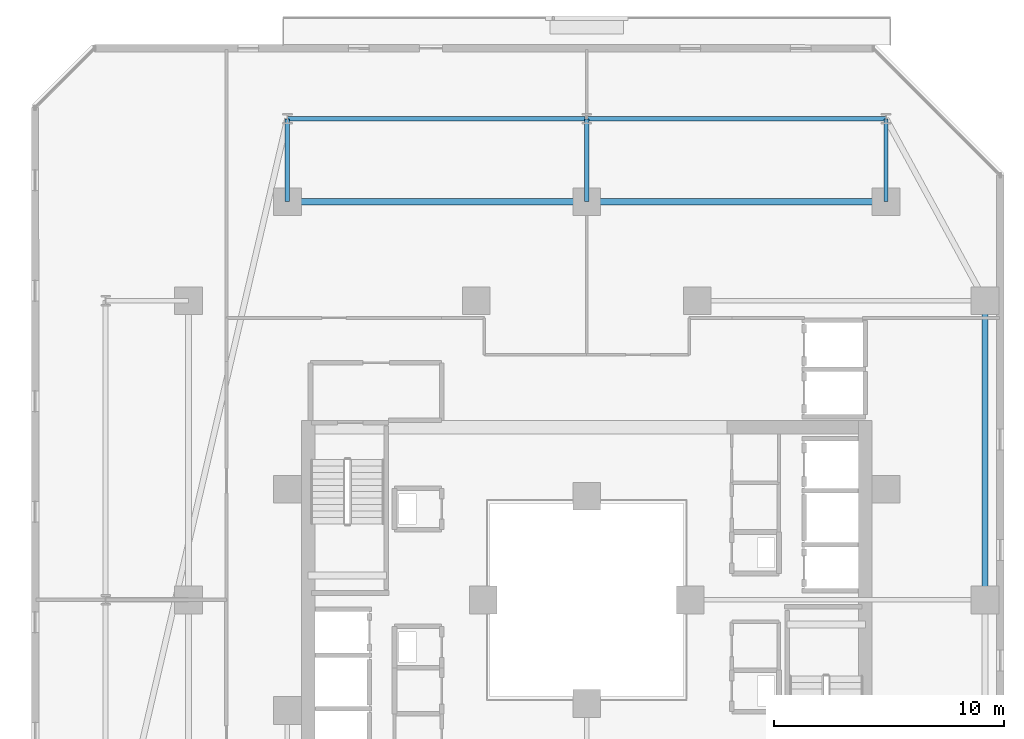
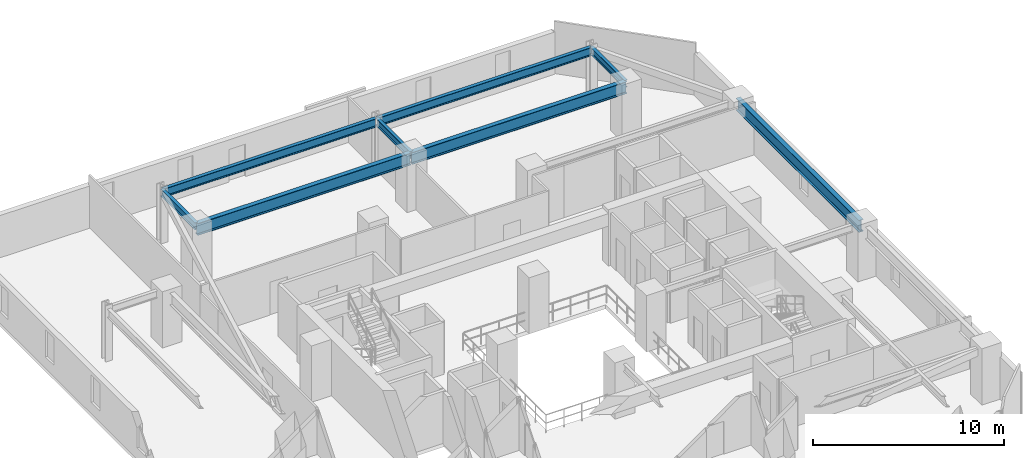
# One storey, part 13 of 29: 8 beams.
"""IFC4 building model written with IfcOpenShell, lengths in metres."""

import ifcopenshell
import ifcopenshell.guid

model = None  # the IFC model being written
_history = None  # IfcOwnerHistory: only IFC2X3 demands one
_inside = {}  # id of a spatial element -> (the spatial element, [elements in it])
_under = {}  # id of a project, library or spatial element -> (it, [spatial elements below it])
_declared = {}  # id of a project -> (the project, [libraries it declares])
_typed = {}  # id of a type object -> (the type object, [elements of that type])
_made_of = {}  # id of a material, layer set ... -> (it, [elements and type objects made of it])


def new_model(schema):
    """Start an empty IFC model of exactly this schema.

    Asked for "IFC4X3", IfcOpenShell would pick the latest addendum, in which some entities
    have other attributes; the version numbers below select the first issue.
    IFC2X3 requires an IfcOwnerHistory on every rooted entity: one is made here for all.
    """
    global model, _history
    if schema == "IFC4X3":
        model = ifcopenshell.file(schema_version=(4, 3, 0, 0))
    else:
        model = ifcopenshell.file(schema=schema)
    _inside.clear()
    _under.clear()
    _declared.clear()
    _typed.clear()
    _made_of.clear()
    _history = None
    if model.schema == "IFC2X3":
        org = make("IfcOrganization", Name="unknown")
        user = make(
            "IfcPersonAndOrganization",
            ThePerson=make("IfcPerson", FamilyName="unknown"),
            TheOrganization=org,
        )
        app = make(
            "IfcApplication",
            ApplicationDeveloper=org,
            Version="unknown",
            ApplicationFullName="unknown",
            ApplicationIdentifier="unknown",
        )
        _history = make(
            "IfcOwnerHistory",
            OwningUser=user,
            OwningApplication=app,
            ChangeAction="ADDED",
            CreationDate=0,
        )
    return model


def make(cls, **values):
    """One entity of the class cls with the attributes given. An attribute that is None is left unset."""
    return model.create_entity(
        cls, **{name: value for name, value in values.items() if value is not None}
    )


def rooted(cls, **values):
    """An entity with a GlobalId (a new one), such as an element, a storey or a relation."""
    return make(cls, GlobalId=ifcopenshell.guid.new(), OwnerHistory=_history, **values)


def si_unit(unit_type, name, prefix=None):
    """IfcSIUnit, for example si_unit("LENGTHUNIT", "METRE", prefix="MILLI")."""
    return make("IfcSIUnit", UnitType=unit_type, Prefix=prefix, Name=name)


def assignment(units):
    """IfcUnitAssignment: the units of a project."""
    return None if units is None else make("IfcUnitAssignment", Units=units)


def point(xyz):
    """IfcCartesianPoint."""
    return None if xyz is None else make("IfcCartesianPoint", Coordinates=xyz)


def direction(xyz):
    """IfcDirection."""
    return None if xyz is None else make("IfcDirection", DirectionRatios=xyz)


def frame(location, z_axis=None, x_axis=None):
    """IfcAxis2Placement3D, a coordinate frame: its origin and axes. An axis left out is left unset."""
    return make(
        "IfcAxis2Placement3D",
        Location=point(location),
        Axis=direction(z_axis),
        RefDirection=direction(x_axis),
    )


def frame_2d(location, x_axis=None):
    """IfcAxis2Placement2D, a coordinate frame in the plane: its origin and x axis."""
    return make(
        "IfcAxis2Placement2D", Location=point(location), RefDirection=direction(x_axis)
    )


def origin():
    """The frame at (0, 0, 0) with its axes left unset."""
    return frame((0.0, 0.0, 0.0))


def origin_2d():
    """The frame at (0, 0) in the plane with its x axis left unset."""
    return frame_2d((0.0, 0.0))


def place(relative_to, where):
    """IfcLocalPlacement: puts the frame where relative to a parent placement (None: the world)."""
    return make(
        "IfcLocalPlacement", PlacementRelTo=relative_to, RelativePlacement=where
    )


def context(
    kind, dimensions, precision=None, world=None, true_north=None, identifier=None
):
    """IfcGeometricRepresentationContext, for example the 3D "Model" context."""
    return make(
        "IfcGeometricRepresentationContext",
        ContextIdentifier=identifier,
        ContextType=kind,
        CoordinateSpaceDimension=dimensions,
        Precision=precision,
        WorldCoordinateSystem=world,
        TrueNorth=true_north,
    )


def subcontext(parent, identifier, kind, view, scale=None):
    """IfcGeometricRepresentationSubContext, for example "Body" below "Model"."""
    return make(
        "IfcGeometricRepresentationSubContext",
        ContextIdentifier=identifier,
        ContextType=kind,
        ParentContext=parent,
        TargetScale=scale,
        TargetView=view,
    )


def project(units=None, contexts=None):
    """IfcProject with its units and contexts."""
    return rooted(
        "IfcProject",
        Name="project",
        RepresentationContexts=contexts,
        UnitsInContext=assignment(units),
    )


def spatial(cls, under=None, at=None, **own):
    """A site, building, storey or space (cls), placed at a placement, below another one or the project."""
    s = rooted(cls, ObjectPlacement=at, **own)
    if under is not None:
        _under.setdefault(under.id(), (under, []))[1].append(s)
    return s


def profile(cls, at=None, kind="AREA", **sizes):
    """A parametric profile (cls). Its sizes go by their IFC names, for example OverallWidth=200.0."""
    return make(cls, ProfileType=kind, Position=at, **sizes)


def i_section(**sizes):
    """IfcIShapeProfileDef."""
    return profile("IfcIShapeProfileDef", **sizes)


def extrude(swept, where, along, depth):
    """IfcExtrudedAreaSolid: the profile swept, set in the frame where, extruded along a direction by depth."""
    return make(
        "IfcExtrudedAreaSolid",
        SweptArea=swept,
        Position=where,
        ExtrudedDirection=direction(along),
        Depth=depth,
    )


def shape(context_of_items, identifier, shape_type, items):
    """IfcShapeRepresentation: the items that make up one representation, for example the "Body"."""
    return make(
        "IfcShapeRepresentation",
        ContextOfItems=context_of_items,
        RepresentationIdentifier=identifier,
        RepresentationType=shape_type,
        Items=items,
    )


def material(Name=None, Category=None):
    """IfcMaterial."""
    return make("IfcMaterial", Name=Name, Category=Category)


def material_profile(
    of_material, cross_section, Name=None, Category=None, Priority=None
):
    """IfcMaterialProfile: a cross section and its material."""
    return make(
        "IfcMaterialProfile",
        Name=Name,
        Material=of_material,
        Profile=cross_section,
        Priority=Priority,
        Category=Category,
    )


def profile_set(profiles, Name=None, composite=None):
    """IfcMaterialProfileSet."""
    return make(
        "IfcMaterialProfileSet",
        Name=Name,
        MaterialProfiles=profiles,
        CompositeProfile=composite,
    )


def made_of(thing, what):
    """Note that an element or type object is made of a material, layer set ...; save() writes the relation."""
    if what is not None:
        _made_of.setdefault(what.id(), (what, []))[1].append(thing)
    return thing


def type_object(cls, material=None, **own):
    """A type object (cls), such as IfcWallType, which elements share."""
    return made_of(rooted(cls, **own), material)


def element(
    cls,
    number,
    at=None,
    inside=None,
    cuts=None,
    type_object=None,
    material=None,
    context=None,
    identifier="Body",
    shape_type=None,
    held_by="IfcProductDefinitionShape",
    body=None,
    shapes=None,
    **own,
):
    """One element of the class cls, such as IfcWall. Its Tag is "e" and its number.

    at: its placement. inside: the storey or other place that contains it. cuts: it is an
    opening in that element (IfcRelVoidsElement). A single representation is given by context,
    identifier, shape_type and body (its items); several are given by shapes. held_by: the class
    of the entity that holds the representations. save() writes the other relations.
    """
    e = rooted(cls, Tag="e%d" % number, ObjectPlacement=at, **own)
    if body is not None:
        shapes = [shape(context, identifier, shape_type, body)]
    if shapes is not None:
        e.Representation = make(held_by, Representations=shapes)
    if inside is not None:
        _inside.setdefault(inside.id(), (inside, []))[1].append(e)
    if cuts is not None:
        rooted(
            "IfcRelVoidsElement", RelatingBuildingElement=cuts, RelatedOpeningElement=e
        )
    if type_object is not None:
        _typed.setdefault(type_object.id(), (type_object, []))[1].append(e)
    return made_of(e, material)


def aggregate(whole, parts):
    """IfcRelAggregates: a whole, such as a stair, and the parts it consists of."""
    return rooted("IfcRelAggregates", RelatingObject=whole, RelatedObjects=parts)


def save(model, path):
    """Write the relations noted so far, then the file.

    IfcRelAggregates (storeys below a building ...), IfcRelContainedInSpatialStructure (elements
    in a storey), IfcRelDefinesByType, IfcRelAssociatesMaterial and IfcRelDeclares: one each for
    every whole, place, type object, material and project.
    """
    for whole, parts in _under.values():
        aggregate(whole, parts)
    for where, things in _inside.values():
        rooted(
            "IfcRelContainedInSpatialStructure",
            RelatedElements=things,
            RelatingStructure=where,
        )
    for kind, things in _typed.values():
        rooted("IfcRelDefinesByType", RelatedObjects=things, RelatingType=kind)
    for what, things in _made_of.values():
        rooted("IfcRelAssociatesMaterial", RelatedObjects=things, RelatingMaterial=what)
    for by, libraries in _declared.values():
        rooted("IfcRelDeclares", RelatingContext=by, RelatedDefinitions=libraries)
    model.write(path)


model = new_model("IFC4")

# Units and contexts
model_context = context("Model", 3, precision=1e-05, world=origin(), true_north=direction((0.0, 1.0)))
body_context = subcontext(model_context, "Body", "Model", "MODEL_VIEW")
ifc_project = project(units=[si_unit("LENGTHUNIT", "METRE"), si_unit("AREAUNIT", "SQUARE_METRE"), si_unit("VOLUMEUNIT", "CUBIC_METRE"), si_unit("PLANEANGLEUNIT", "RADIAN"), si_unit("MASSUNIT", "GRAM", prefix="KILO")], contexts=[model_context])

# Site, building, storey
site_placement = place(None, origin())
site = spatial("IfcSite", under=ifc_project, at=site_placement, CompositionType="ELEMENT")
building_placement = place(site_placement, origin())
building = spatial("IfcBuilding", under=site, at=building_placement, Name="Thornwick Lancets Civic Towers", CompositionType="ELEMENT")
storey_placement = place(building_placement, frame((0.0, 0.0, 83.699951171875)))
storey = spatial("IfcBuildingStorey", under=building, at=storey_placement, Name="L21", CompositionType="ELEMENT", Elevation=83.699951171875)

# Beams
ifc_material = material(Name="Steel S355JR", Category="steel")
ifc_material_profile_1 = material_profile(ifc_material, i_section(OverallWidth=0.2119140625, OverallDepth=0.54443359375, WebThickness=0.0126953125, FlangeThickness=0.021240234375, FilletRadius=0.0126953125, at=origin_2d()), Name="UKB 533x210x122")
ifc_profile_set_1 = profile_set([ifc_material_profile_1], Name="Steel S355JR")
beam_type_1 = type_object("IfcBeamType", Name="BM_EDGE_533_122", PredefinedType="SPANDREL", material=ifc_profile_set_1)
beam_1_placement = place(storey_placement, frame((101.5, 47.89990234375, 3.087890625), z_axis=(-1.0, 0.0, 0.0), x_axis=(0.0, -1.0, 0.0)))
element("IfcBeam", 1, at=beam_1_placement, inside=storey, type_object=beam_type_1, Name="BM-EDGE-L21-B-S1-1", PredefinedType="SPANDREL", context=body_context, shape_type="SweptSolid", body=[
    extrude(i_section(OverallWidth=0.2119140625, OverallDepth=0.54443359375, WebThickness=0.0126953125, FlangeThickness=0.021240234375, FilletRadius=0.0126953125, at=origin_2d()), origin(), (0.0, 0.0, 1.0), 13.0),
])
beam_2_placement = place(storey_placement, frame((88.419921875, 47.89990234375, 3.087890625), z_axis=(-1.0, 0.0, 0.0), x_axis=(0.0, -1.0, 0.0)))
element("IfcBeam", 2, at=beam_2_placement, inside=storey, type_object=beam_type_1, Name="BM-EDGE-L21-B-S1-2", PredefinedType="SPANDREL", context=body_context, shape_type="SweptSolid", body=[
    extrude(i_section(OverallWidth=0.2119140625, OverallDepth=0.54443359375, WebThickness=0.0126953125, FlangeThickness=0.021240234375, FilletRadius=0.0126953125, at=origin_2d()), origin(), (0.0, 0.0, 1.0), 12.919921875),
])
ifc_material_profile_2 = material_profile(ifc_material, i_section(OverallWidth=0.26806640625, OverallDepth=0.769775390625, WebThickness=0.015625, FlangeThickness=0.025390625, FilletRadius=0.0166015625, at=origin_2d()), Name="UKB 762x267x197")
ifc_profile_set_2 = profile_set([ifc_material_profile_2], Name="Steel S355JR")
beam_type_2 = type_object("IfcBeamType", Name="BM_GIRD_762_197", PredefinedType="BEAM", material=ifc_profile_set_2)
beam_3_placement = place(storey_placement, frame((105.800048828125, 27.080078125, 2.97509765625), z_axis=(0.0, 1.0, 0.0), x_axis=(-1.0, 0.0, 0.0)))
element("IfcBeam", 3, at=beam_3_placement, inside=storey, type_object=beam_type_2, Name="BM-SPINE-L21-B-1-2", PredefinedType="BEAM", context=body_context, shape_type="SweptSolid", body=[
    extrude(i_section(OverallWidth=0.26806640625, OverallDepth=0.769775390625, WebThickness=0.015625, FlangeThickness=0.025390625, FilletRadius=0.0166015625, at=origin_2d()), origin(), (0.0, 0.0, 1.0), 12.919921875),
])
beam_4_placement = place(storey_placement, frame((101.5, 44.300048828125, 2.97509765625), z_axis=(-1.0, 0.0, 0.0), x_axis=(0.0, -1.0, 0.0)))
element("IfcBeam", 4, at=beam_4_placement, inside=storey, type_object=beam_type_2, Name="BM-SPINE-L21-B-3-4", PredefinedType="BEAM", context=body_context, shape_type="SweptSolid", body=[
    extrude(i_section(OverallWidth=0.26806640625, OverallDepth=0.769775390625, WebThickness=0.015625, FlangeThickness=0.025390625, FilletRadius=0.0166015625, at=origin_2d()), origin(), (0.0, 0.0, 1.0), 13.0),
])
beam_5_placement = place(storey_placement, frame((88.419921875, 44.300048828125, 2.97509765625), z_axis=(-1.0, 0.0, 0.0), x_axis=(0.0, -1.0, 0.0)))
element("IfcBeam", 5, at=beam_5_placement, inside=storey, type_object=beam_type_2, Name="BM-SPINE-L21-B-4-5", PredefinedType="BEAM", context=body_context, shape_type="SweptSolid", body=[
    extrude(i_section(OverallWidth=0.26806640625, OverallDepth=0.769775390625, WebThickness=0.015625, FlangeThickness=0.025390625, FilletRadius=0.0166015625, at=origin_2d()), origin(), (0.0, 0.0, 1.0), 12.919921875),
])
ifc_material_profile_3 = material_profile(ifc_material, i_section(OverallWidth=0.19189453125, OverallDepth=0.46337890625, WebThickness=0.010498046875, FlangeThickness=0.017578125, FilletRadius=0.01025390625, at=origin_2d()), Name="UKB 457x191x89")
ifc_profile_set_3 = profile_set([ifc_material_profile_3], Name="Steel S355JR")
beam_type_3 = type_object("IfcBeamType", Name="BM_JOIST_457_89", PredefinedType="JOIST", material=ifc_profile_set_3)
for number, where, z_axis, x_axis, name in (
    (6, (101.5, 44.300048828125, 3.12841796875), (0.0, 1.0, 0.0), (-1.0, 0.0, 0.0), "BM-RAD-L21-B04"),
    (7, (88.5, 44.300048828125, 3.12841796875), (0.0, 1.0, 0.0), (-1.0, 0.0, 0.0), "BM-RAD-L21-B05"),
    (8, (75.5, 44.300048828125, 3.12841796875), (0.0, 1.0, 0.0), (-1.0, 0.0, 0.0), "BM-RAD-L21-B06"),
):
    element("IfcBeam", number, at=place(storey_placement, frame(where, z_axis=z_axis, x_axis=x_axis)), inside=storey, type_object=beam_type_3, Name=name, PredefinedType="JOIST", context=body_context, shape_type="SweptSolid", body=[
        extrude(i_section(OverallWidth=0.19189453125, OverallDepth=0.46337890625, WebThickness=0.010498046875, FlangeThickness=0.017578125, FilletRadius=0.01025390625, at=origin_2d()), origin(), (0.0, 0.0, 1.0), 3.599853515625),
    ])

save(model, "model.ifc")
